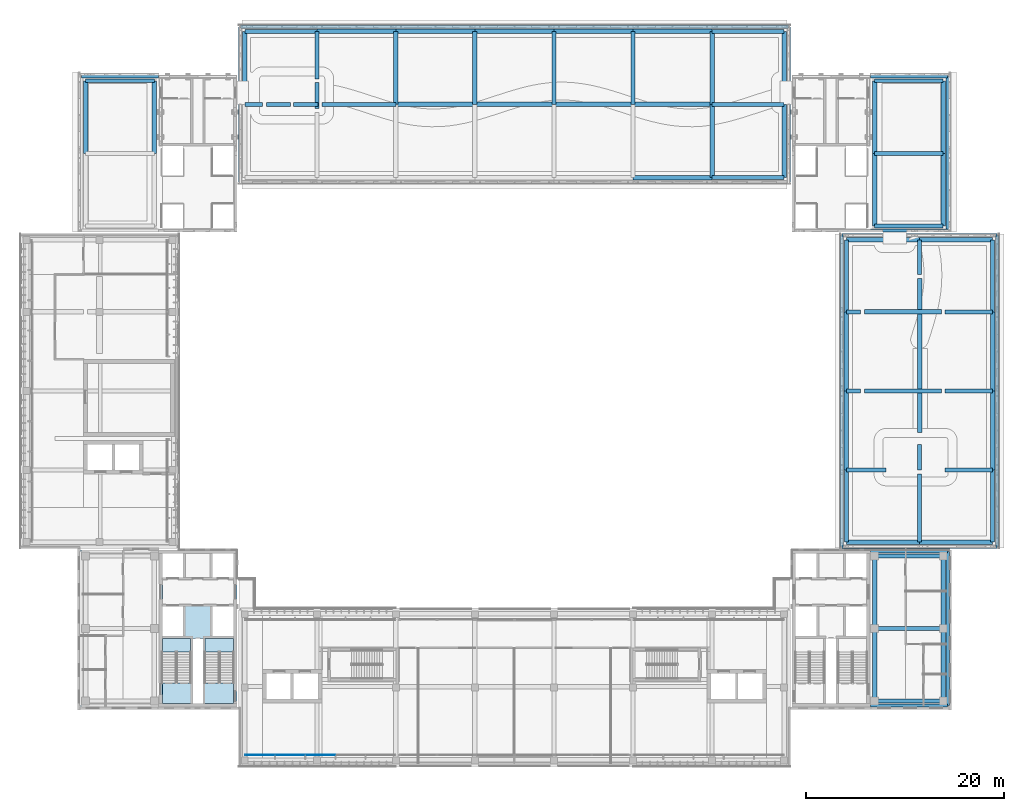
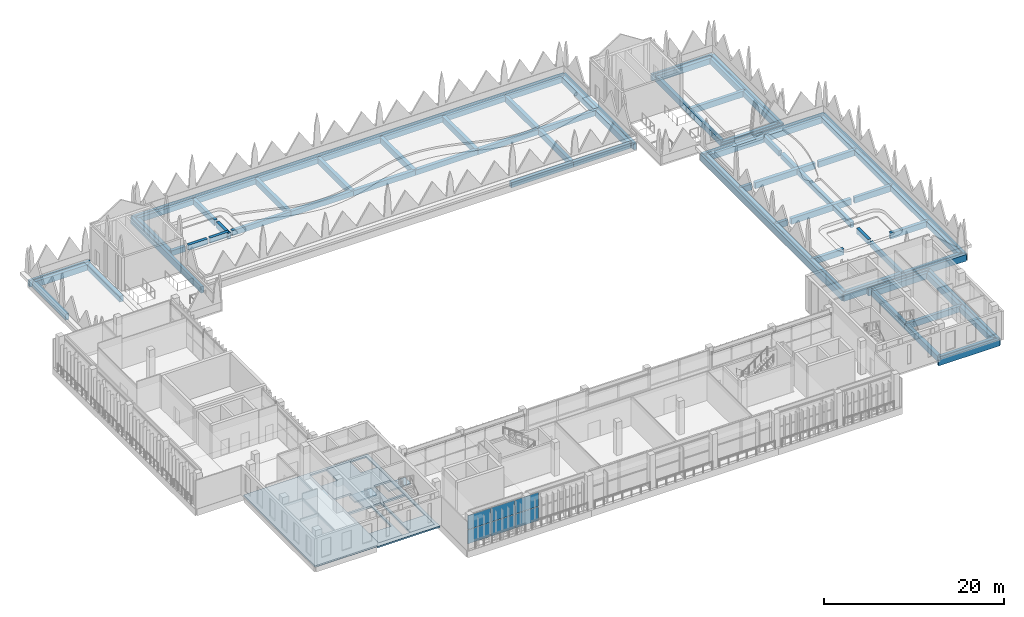
# One storey, part 19 of 46: 84 beams, 6 plates, 4 slabs, 3 elements without a shape of their own.
"""IFC4 building model written with IfcOpenShell, lengths in metres."""

from ifc_helpers import new_model, si_unit, direction, frame, origin, origin_2d, place, context, subcontext, project, spatial, polyline, rectangle, outline, extrude, material, layer, layer_set, material_profile, profile_set, type_object, element, aggregate, save


model = new_model("IFC4")

# Units and contexts
model_context = context("Model", 3, precision=1e-05, world=origin(), true_north=direction((0.0, 1.0)))
body_context = subcontext(model_context, "Body", "Model", "MODEL_VIEW")
ifc_project = project(units=[si_unit("LENGTHUNIT", "METRE"), si_unit("AREAUNIT", "SQUARE_METRE"), si_unit("VOLUMEUNIT", "CUBIC_METRE"), si_unit("PLANEANGLEUNIT", "RADIAN"), si_unit("MASSUNIT", "GRAM", prefix="KILO")], contexts=[model_context])

# Site, building, storey
site_placement = place(None, origin())
site = spatial("IfcSite", under=ifc_project, at=site_placement, CompositionType="ELEMENT")
building_placement = place(site_placement, origin())
building = spatial("IfcBuilding", under=site, at=building_placement, Name="Lantern Court Media Centre", CompositionType="ELEMENT")
storey_placement = place(building_placement, frame((0.0, 0.0, 28.800048828125)))
storey = spatial("IfcBuildingStorey", under=building, at=storey_placement, Name="L06", CompositionType="ELEMENT", Elevation=28.800048828125)

# Beams
ifc_material_1 = material(Name="Concrete C35", Category="concrete")
ifc_material_profile_1 = material_profile(ifc_material_1, rectangle(XDim=0.300048828125, YDim=0.89990234375, at=origin_2d()), Name="RC 300x900")
ifc_profile_set_1 = profile_set([ifc_material_profile_1], Name="Concrete C35")
beam_type_1 = type_object("IfcBeamType", Name="RC BEAM 300x900", PredefinedType="BEAM", material=ifc_profile_set_1)
for number, where, z_axis, x_axis, name in (
    (1, (88.02001953125, 48.14990234375, -0.449951171875), (1.0, 0.0, 0.0), (0.0, 1.0, 0.0), "EB-SE-L06-S"),
    (2, (88.02001953125, 63.75, -0.449951171875), (1.0, 0.0, 0.0), (0.0, 1.0, 0.0), "EB-SE-L06-N"),
    (3, (8.14990234375, 111.85009765625, -0.449951171875), (1.0, 0.0, 0.0), (0.0, 1.0, 0.0), "EB-NW-L06-N"),
    (4, (88.02001953125, 96.25, -0.449951171875), (1.0, 0.0, 0.0), (0.0, 1.0, 0.0), "EB-NE-L06-S"),
    (5, (88.02001953125, 111.85009765625, -0.449951171875), (1.0, 0.0, 0.0), (0.0, 1.0, 0.0), "EB-NE-L06-N"),
):
    element("IfcBeam", number, at=place(storey_placement, frame(where, z_axis=z_axis, x_axis=x_axis)), inside=storey, type_object=beam_type_1, Name=name, PredefinedType="BEAM", context=body_context, shape_type="SweptSolid", body=[
        extrude(rectangle(XDim=0.300048828125, YDim=0.89990234375, at=origin_2d()), origin(), (0.0, 0.0, 1.0), 7.830078125),
    ])
ifc_material_profile_2 = material_profile(ifc_material_1, rectangle(XDim=0.35009765625, YDim=0.89990234375, at=origin_2d()), Name="RC 350x900")
ifc_profile_set_2 = profile_set([ifc_material_profile_2], Name="Concrete C35")
beam_type_2 = type_object("IfcBeamType", Name="RC BEAM 350x900", PredefinedType="BEAM", material=ifc_profile_set_2)
for number, where, z_axis, x_axis, name in (
    (6, (95.85009765625, 48.14990234375, -0.449951171875), (0.0, 1.0, 0.0), (-1.0, 0.0, 0.0), "EB-SE-L06-E"),
    (7, (95.85009765625, 96.25, -0.449951171875), (0.0, 1.0, 0.0), (-1.0, 0.0, 0.0), "EB-NE-L06-E"),
):
    element("IfcBeam", number, at=place(storey_placement, frame(where, z_axis=z_axis, x_axis=x_axis)), inside=storey, type_object=beam_type_2, Name=name, PredefinedType="BEAM", context=body_context, shape_type="SweptSolid", body=[
        extrude(rectangle(XDim=0.35009765625, YDim=0.89990234375, at=origin_2d()), origin(), (0.0, 0.0, 1.0), 15.60009765625),
    ])
beam_1_placement = place(storey_placement, frame((24.25, 116.85009765625, -0.449951171875), z_axis=(1.0, 0.0, 0.0), x_axis=(0.0, 1.0, 0.0)))
element("IfcBeam", 8, at=beam_1_placement, inside=storey, type_object=beam_type_2, Name="EB-N-L06-B", PredefinedType="BEAM", context=body_context, shape_type="SweptSolid", body=[
    extrude(rectangle(XDim=0.35009765625, YDim=0.89990234375, at=origin_2d()), origin(), (0.0, 0.0, 1.0), 55.5),
])
for number, where, z_axis, x_axis, name in (
    (9, (24.25, 101.14990234375, -0.449951171875), (0.0, 1.0, 0.0), (-1.0, 0.0, 0.0), "EB-N-L06-C"),
    (10, (79.75, 101.14990234375, -0.449951171875), (0.0, 1.0, 0.0), (-1.0, 0.0, 0.0), "EB-N-L06-D"),
):
    element("IfcBeam", number, at=place(storey_placement, frame(where, z_axis=z_axis, x_axis=x_axis)), inside=storey, type_object=beam_type_2, Name=name, PredefinedType="BEAM", context=body_context, shape_type="SweptSolid", body=[
        extrude(rectangle(XDim=0.35009765625, YDim=0.89990234375, at=origin_2d()), origin(), (0.0, 0.0, 1.0), 15.7001953125),
    ])
for number, where, z_axis, x_axis, name in (
    (11, (85.14990234375, 64.25, -0.449951171875), (0.0, 1.0, 0.0), (-1.0, 0.0, 0.0), "EB-E-L06-A"),
    (12, (100.85009765625, 64.25, -0.449951171875), (0.0, 1.0, 0.0), (-1.0, 0.0, 0.0), "EB-E-L06-B"),
):
    element("IfcBeam", number, at=place(storey_placement, frame(where, z_axis=z_axis, x_axis=x_axis)), inside=storey, type_object=beam_type_2, Name=name, PredefinedType="BEAM", context=body_context, shape_type="SweptSolid", body=[
        extrude(rectangle(XDim=0.35009765625, YDim=0.89990234375, at=origin_2d()), origin(), (0.0, 0.0, 1.0), 31.5),
    ])
for number, where, z_axis, x_axis, name in (
    (13, (85.14990234375, 64.25, -0.449951171875), (1.0, 0.0, 0.0), (0.0, 1.0, 0.0), "EB-E-L06-C"),
    (14, (85.14990234375, 95.75, -0.449951171875), (1.0, 0.0, 0.0), (0.0, 1.0, 0.0), "EB-E-L06-D"),
):
    element("IfcBeam", number, at=place(storey_placement, frame(where, z_axis=z_axis, x_axis=x_axis)), inside=storey, type_object=beam_type_2, Name=name, PredefinedType="BEAM", context=body_context, shape_type="SweptSolid", body=[
        extrude(rectangle(XDim=0.35009765625, YDim=0.89990234375, at=origin_2d()), origin(), (0.0, 0.0, 1.0), 15.7001953125),
    ])
ifc_material_profile_3 = material_profile(ifc_material_1, rectangle(XDim=0.39990234375, YDim=0.699951171875, at=origin_2d()), Name="RC 400x700")
ifc_profile_set_3 = profile_set([ifc_material_profile_3], Name="Concrete C35")
beam_type_3 = type_object("IfcBeamType", Name="RC BEAM 400x700", PredefinedType="BEAM", material=ifc_profile_set_3)
beam_2_placement = place(storey_placement, frame((72.0, 101.60009765625, -0.35009765625), z_axis=(1.0, 0.0, 0.0), x_axis=(0.0, 1.0, 0.0)))
element("IfcBeam", 15, at=beam_2_placement, inside=storey, type_object=beam_type_3, Name="LB-N-L06-0-6", PredefinedType="BEAM", context=body_context, shape_type="SweptSolid", body=[
    extrude(rectangle(XDim=0.39990234375, YDim=0.699951171875, at=origin_2d()), origin(), (0.0, 0.0, 1.0), 7.300048828125),
])
beam_3_placement = place(storey_placement, frame((24.699951171875, 109.0, -0.35009765625), z_axis=(1.0, 0.0, 0.0), x_axis=(0.0, 1.0, 0.0)))
element("IfcBeam", 16, at=beam_3_placement, inside=storey, type_object=beam_type_3, Name="LB-N-L06-1-0", PredefinedType="BEAM", context=body_context, shape_type="SweptSolid", body=[
    extrude(rectangle(XDim=0.39990234375, YDim=0.699951171875, at=origin_2d()), origin(), (0.0, 0.0, 1.0), 1.800048828125),
])
for number, where, z_axis, x_axis, name in (
    (17, (26.89990234375, 109.0, -0.35009765625), (1.0, 0.0, 0.0), (0.0, 1.0, 0.0), "LB-N-L06-1-01"),
    (18, (29.64990234375, 109.0, -0.35009765625), (1.0, 0.0, 0.0), (0.0, 1.0, 0.0), "LB-N-L06-1-02"),
):
    element("IfcBeam", number, at=place(storey_placement, frame(where, z_axis=z_axis, x_axis=x_axis)), inside=storey, type_object=beam_type_3, Name=name, PredefinedType="BEAM", context=body_context, shape_type="SweptSolid", body=[
        extrude(rectangle(XDim=0.39990234375, YDim=0.699951171875, at=origin_2d()), origin(), (0.0, 0.0, 1.0), 2.4501953125),
    ])
beam_4_placement = place(storey_placement, frame((32.5, 109.0, -0.35009765625), z_axis=(1.0, 0.0, 0.0), x_axis=(0.0, 1.0, 0.0)))
element("IfcBeam", 19, at=beam_4_placement, inside=storey, type_object=beam_type_3, Name="LB-N-L06-1-03", PredefinedType="BEAM", context=body_context, shape_type="SweptSolid", body=[
    extrude(rectangle(XDim=0.39990234375, YDim=0.699951171875, at=origin_2d()), origin(), (0.0, 0.0, 1.0), 7.5),
])
for number, where, z_axis, x_axis, name in (
    (20, (72.0, 109.0, -0.35009765625), (1.0, 0.0, 0.0), (0.0, 1.0, 0.0), "LB-N-L06-1-6"),
    (21, (24.699951171875, 116.39990234375, -0.35009765625), (1.0, 0.0, 0.0), (0.0, 1.0, 0.0), "LB-N-L06-2-0"),
    (22, (72.0, 116.39990234375, -0.35009765625), (1.0, 0.0, 0.0), (0.0, 1.0, 0.0), "LB-N-L06-2-6"),
    (23, (85.60009765625, 64.699951171875, -0.35009765625), (0.0, 1.0, 0.0), (-1.0, 0.0, 0.0), "LB-E-L06-0-0"),
    (24, (85.60009765625, 88.0, -0.35009765625), (0.0, 1.0, 0.0), (-1.0, 0.0, 0.0), "LB-E-L06-0-3"),
):
    element("IfcBeam", number, at=place(storey_placement, frame(where, z_axis=z_axis, x_axis=x_axis)), inside=storey, type_object=beam_type_3, Name=name, PredefinedType="BEAM", context=body_context, shape_type="SweptSolid", body=[
        extrude(rectangle(XDim=0.39990234375, YDim=0.699951171875, at=origin_2d()), origin(), (0.0, 0.0, 1.0), 7.300048828125),
    ])
beam_5_placement = place(storey_placement, frame((93.0, 64.699951171875, -0.35009765625), z_axis=(0.0, 1.0, 0.0), x_axis=(-1.0, 0.0, 0.0)))
element("IfcBeam", 25, at=beam_5_placement, inside=storey, type_object=beam_type_3, Name="LB-E-L06-1-0", PredefinedType="BEAM", context=body_context, shape_type="SweptSolid", body=[
    extrude(rectangle(XDim=0.39990234375, YDim=0.699951171875, at=origin_2d()), origin(), (0.0, 0.0, 1.0), 6.900146484375),
])
beam_6_placement = place(storey_placement, frame((93.0, 72.0, -0.35009765625), z_axis=(0.0, 1.0, 0.0), x_axis=(-1.0, 0.0, 0.0)))
element("IfcBeam", 26, at=beam_6_placement, inside=storey, type_object=beam_type_3, Name="LB-E-L06-1-01", PredefinedType="BEAM", context=body_context, shape_type="SweptSolid", body=[
    extrude(rectangle(XDim=0.39990234375, YDim=0.699951171875, at=origin_2d()), origin(), (0.0, 0.0, 1.0), 2.60009765625),
])
beam_7_placement = place(storey_placement, frame((93.0, 91.800048828125, -0.35009765625), z_axis=(0.0, 1.0, 0.0), x_axis=(-1.0, 0.0, 0.0)))
element("IfcBeam", 27, at=beam_7_placement, inside=storey, type_object=beam_type_3, Name="LB-E-L06-1-03", PredefinedType="BEAM", context=body_context, shape_type="SweptSolid", body=[
    extrude(rectangle(XDim=0.39990234375, YDim=0.699951171875, at=origin_2d()), origin(), (0.0, 0.0, 1.0), 3.5),
])
for number, where, z_axis, x_axis, name in (
    (28, (100.39990234375, 64.699951171875, -0.35009765625), (0.0, 1.0, 0.0), (-1.0, 0.0, 0.0), "LB-E-L06-2-0"),
    (29, (100.39990234375, 88.0, -0.35009765625), (0.0, 1.0, 0.0), (-1.0, 0.0, 0.0), "LB-E-L06-2-3"),
):
    element("IfcBeam", number, at=place(storey_placement, frame(where, z_axis=z_axis, x_axis=x_axis)), inside=storey, type_object=beam_type_3, Name=name, PredefinedType="BEAM", context=body_context, shape_type="SweptSolid", body=[
        extrude(rectangle(XDim=0.39990234375, YDim=0.699951171875, at=origin_2d()), origin(), (0.0, 0.0, 1.0), 7.300048828125),
    ])
ifc_material_profile_4 = material_profile(ifc_material_1, rectangle(XDim=0.39990234375, YDim=0.800048828125, at=origin_2d()), Name="RC 400x800")
ifc_profile_set_4 = profile_set([ifc_material_profile_4], Name="Concrete C35")
beam_type_4 = type_object("IfcBeamType", Name="RC BEAM 400x800", PredefinedType="BEAM", material=ifc_profile_set_4)
for number, where, z_axis, x_axis, name in (
    (30, (88.449951171875, 48.60009765625, -0.400146484375), (1.0, 0.0, 0.0), (0.0, 1.0, 0.0), "BB-SE-L06-Y0-48"),
    (31, (88.449951171875, 55.949951171875, -0.400146484375), (1.0, 0.0, 0.0), (0.0, 1.0, 0.0), "BB-SE-L06-Y0-55"),
    (32, (88.449951171875, 63.300048828125, -0.400146484375), (1.0, 0.0, 0.0), (0.0, 1.0, 0.0), "BB-SE-L06-Y0-63"),
    (33, (8.60009765625, 111.39990234375, -0.400146484375), (1.0, 0.0, 0.0), (0.0, 1.0, 0.0), "BB-NW-L06-Y0-111"),
    (34, (88.449951171875, 96.699951171875, -0.400146484375), (1.0, 0.0, 0.0), (0.0, 1.0, 0.0), "BB-NE-L06-Y0-96"),
    (35, (88.449951171875, 104.050048828125, -0.400146484375), (1.0, 0.0, 0.0), (0.0, 1.0, 0.0), "BB-NE-L06-Y0-104"),
    (36, (88.449951171875, 111.39990234375, -0.400146484375), (1.0, 0.0, 0.0), (0.0, 1.0, 0.0), "BB-NE-L06-Y0-111"),
):
    element("IfcBeam", number, at=place(storey_placement, frame(where, z_axis=z_axis, x_axis=x_axis)), inside=storey, type_object=beam_type_4, Name=name, PredefinedType="BEAM", context=body_context, shape_type="SweptSolid", body=[
        extrude(rectangle(XDim=0.39990234375, YDim=0.800048828125, at=origin_2d()), origin(), (0.0, 0.0, 1.0), 6.949951171875),
    ])
beam_8_placement = place(storey_placement, frame((32.0, 108.60009765625, -0.400146484375), z_axis=(0.0, 1.0, 0.0), x_axis=(-1.0, 0.0, 0.0)))
element("IfcBeam", 37, at=beam_8_placement, inside=storey, type_object=beam_type_4, Name="TB-N-L06-1-11", PredefinedType="BEAM", context=body_context, shape_type="SweptSolid", body=[
    extrude(rectangle(XDim=0.39990234375, YDim=0.800048828125, at=origin_2d()), origin(), (0.0, 0.0, 1.0), 2.599853515625),
])
beam_9_placement = place(storey_placement, frame((32.0, 111.60009765625, -0.400146484375), z_axis=(0.0, 1.0, 0.0), x_axis=(-1.0, 0.0, 0.0)))
element("IfcBeam", 38, at=beam_9_placement, inside=storey, type_object=beam_type_4, Name="TB-N-L06-1-12", PredefinedType="BEAM", context=body_context, shape_type="SweptSolid", body=[
    extrude(rectangle(XDim=0.39990234375, YDim=0.800048828125, at=origin_2d()), origin(), (0.0, 0.0, 1.0), 4.7998046875),
])
beam_10_placement = place(storey_placement, frame((85.60009765625, 72.0, -0.400146484375), z_axis=(1.0, 0.0, 0.0), x_axis=(0.0, 1.0, 0.0)))
element("IfcBeam", 39, at=beam_10_placement, inside=storey, type_object=beam_type_4, Name="TB-E-L06-1-1", PredefinedType="BEAM", context=body_context, shape_type="SweptSolid", body=[
    extrude(rectangle(XDim=0.39990234375, YDim=0.800048828125, at=origin_2d()), origin(), (0.0, 0.0, 1.0), 4.0),
])
beam_11_placement = place(storey_placement, frame((95.60009765625, 72.0, -0.400146484375), z_axis=(1.0, 0.0, 0.0), x_axis=(0.0, 1.0, 0.0)))
element("IfcBeam", 40, at=beam_11_placement, inside=storey, type_object=beam_type_4, Name="TB-E-L06-1-11", PredefinedType="BEAM", context=body_context, shape_type="SweptSolid", body=[
    extrude(rectangle(XDim=0.39990234375, YDim=0.800048828125, at=origin_2d()), origin(), (0.0, 0.0, 1.0), 4.7998046875),
])
beam_12_placement = place(storey_placement, frame((85.60009765625, 80.0, -0.400146484375), z_axis=(1.0, 0.0, 0.0), x_axis=(0.0, 1.0, 0.0)))
element("IfcBeam", 41, at=beam_12_placement, inside=storey, type_object=beam_type_4, Name="TB-E-L06-2-1", PredefinedType="BEAM", context=body_context, shape_type="SweptSolid", body=[
    extrude(rectangle(XDim=0.39990234375, YDim=0.800048828125, at=origin_2d()), origin(), (0.0, 0.0, 1.0), 1.449951171875),
])
beam_13_placement = place(storey_placement, frame((95.60009765625, 80.0, -0.400146484375), z_axis=(1.0, 0.0, 0.0), x_axis=(0.0, 1.0, 0.0)))
element("IfcBeam", 42, at=beam_13_placement, inside=storey, type_object=beam_type_4, Name="TB-E-L06-2-12", PredefinedType="BEAM", context=body_context, shape_type="SweptSolid", body=[
    extrude(rectangle(XDim=0.39990234375, YDim=0.800048828125, at=origin_2d()), origin(), (0.0, 0.0, 1.0), 4.7998046875),
])
beam_14_placement = place(storey_placement, frame((85.60009765625, 88.0, -0.400146484375), z_axis=(1.0, 0.0, 0.0), x_axis=(0.0, 1.0, 0.0)))
element("IfcBeam", 43, at=beam_14_placement, inside=storey, type_object=beam_type_4, Name="TB-E-L06-3-1", PredefinedType="BEAM", context=body_context, shape_type="SweptSolid", body=[
    extrude(rectangle(XDim=0.39990234375, YDim=0.800048828125, at=origin_2d()), origin(), (0.0, 0.0, 1.0), 1.449951171875),
])
beam_15_placement = place(storey_placement, frame((95.60009765625, 88.0, -0.400146484375), z_axis=(1.0, 0.0, 0.0), x_axis=(0.0, 1.0, 0.0)))
element("IfcBeam", 44, at=beam_15_placement, inside=storey, type_object=beam_type_4, Name="TB-E-L06-3-12", PredefinedType="BEAM", context=body_context, shape_type="SweptSolid", body=[
    extrude(rectangle(XDim=0.39990234375, YDim=0.800048828125, at=origin_2d()), origin(), (0.0, 0.0, 1.0), 4.7998046875),
])
ifc_material_profile_5 = material_profile(ifc_material_1, rectangle(XDim=0.449951171875, YDim=0.699951171875, at=origin_2d()), Name="RC 450x700")
ifc_profile_set_5 = profile_set([ifc_material_profile_5], Name="Concrete C35")
beam_type_5 = type_object("IfcBeamType", Name="RC BEAM 450x700", PredefinedType="BEAM", material=ifc_profile_set_5)
for number, where, z_axis, x_axis, name in (
    (45, (64.0, 101.60009765625, -0.35009765625), (1.0, 0.0, 0.0), (0.0, 1.0, 0.0), "LB-N-L06-0-5"),
    (46, (40.0, 109.0, -0.35009765625), (1.0, 0.0, 0.0), (0.0, 1.0, 0.0), "LB-N-L06-1-2"),
    (47, (48.0, 109.0, -0.35009765625), (1.0, 0.0, 0.0), (0.0, 1.0, 0.0), "LB-N-L06-1-3"),
    (48, (56.0, 109.0, -0.35009765625), (1.0, 0.0, 0.0), (0.0, 1.0, 0.0), "LB-N-L06-1-4"),
    (49, (64.0, 109.0, -0.35009765625), (1.0, 0.0, 0.0), (0.0, 1.0, 0.0), "LB-N-L06-1-5"),
    (50, (32.0, 116.39990234375, -0.35009765625), (1.0, 0.0, 0.0), (0.0, 1.0, 0.0), "LB-N-L06-2-1"),
    (51, (40.0, 116.39990234375, -0.35009765625), (1.0, 0.0, 0.0), (0.0, 1.0, 0.0), "LB-N-L06-2-2"),
    (52, (48.0, 116.39990234375, -0.35009765625), (1.0, 0.0, 0.0), (0.0, 1.0, 0.0), "LB-N-L06-2-3"),
    (53, (56.0, 116.39990234375, -0.35009765625), (1.0, 0.0, 0.0), (0.0, 1.0, 0.0), "LB-N-L06-2-4"),
    (54, (64.0, 116.39990234375, -0.35009765625), (1.0, 0.0, 0.0), (0.0, 1.0, 0.0), "LB-N-L06-2-5"),
    (55, (85.60009765625, 72.0, -0.35009765625), (0.0, 1.0, 0.0), (-1.0, 0.0, 0.0), "LB-E-L06-0-1"),
    (56, (85.60009765625, 80.0, -0.35009765625), (0.0, 1.0, 0.0), (-1.0, 0.0, 0.0), "LB-E-L06-0-2"),
):
    element("IfcBeam", number, at=place(storey_placement, frame(where, z_axis=z_axis, x_axis=x_axis)), inside=storey, type_object=beam_type_5, Name=name, PredefinedType="BEAM", context=body_context, shape_type="SweptSolid", body=[
        extrude(rectangle(XDim=0.449951171875, YDim=0.699951171875, at=origin_2d()), origin(), (0.0, 0.0, 1.0), 8.0),
    ])
beam_16_placement = place(storey_placement, frame((93.0, 75.800048828125, -0.35009765625), z_axis=(0.0, 1.0, 0.0), x_axis=(-1.0, 0.0, 0.0)))
element("IfcBeam", 57, at=beam_16_placement, inside=storey, type_object=beam_type_5, Name="LB-E-L06-1-02", PredefinedType="BEAM", context=body_context, shape_type="SweptSolid", body=[
    extrude(rectangle(XDim=0.449951171875, YDim=0.699951171875, at=origin_2d()), origin(), (0.0, 0.0, 1.0), 15.599853515625),
])
for number, where, z_axis, x_axis, name in (
    (58, (100.39990234375, 72.0, -0.35009765625), (0.0, 1.0, 0.0), (-1.0, 0.0, 0.0), "LB-E-L06-2-1"),
    (59, (100.39990234375, 80.0, -0.35009765625), (0.0, 1.0, 0.0), (-1.0, 0.0, 0.0), "LB-E-L06-2-2"),
):
    element("IfcBeam", number, at=place(storey_placement, frame(where, z_axis=z_axis, x_axis=x_axis)), inside=storey, type_object=beam_type_5, Name=name, PredefinedType="BEAM", context=body_context, shape_type="SweptSolid", body=[
        extrude(rectangle(XDim=0.449951171875, YDim=0.699951171875, at=origin_2d()), origin(), (0.0, 0.0, 1.0), 8.0),
    ])
ifc_material_profile_6 = material_profile(ifc_material_1, rectangle(XDim=0.449951171875, YDim=0.800048828125, at=origin_2d()), Name="RC 450x800")
ifc_profile_set_6 = profile_set([ifc_material_profile_6], Name="Concrete C35")
beam_type_6 = type_object("IfcBeamType", Name="RC BEAM 450x800", PredefinedType="BEAM", material=ifc_profile_set_6)
beam_17_placement = place(storey_placement, frame((88.449951171875, 48.60009765625, -0.400146484375), z_axis=(0.0, 1.0, 0.0), x_axis=(-1.0, 0.0, 0.0)))
element("IfcBeam", 60, at=beam_17_placement, inside=storey, type_object=beam_type_6, Name="BB-SE-L06-X0-88", PredefinedType="BEAM", context=body_context, shape_type="SweptSolid", body=[
    extrude(rectangle(XDim=0.449951171875, YDim=0.800048828125, at=origin_2d()), origin(), (0.0, 0.0, 1.0), 7.349853515625),
])
beam_18_placement = place(storey_placement, frame((88.449951171875, 55.949951171875, -0.400146484375), z_axis=(0.0, 1.0, 0.0), x_axis=(-1.0, 0.0, 0.0)))
element("IfcBeam", 61, at=beam_18_placement, inside=storey, type_object=beam_type_6, Name="BB-SE-L06-X1-88", PredefinedType="BEAM", context=body_context, shape_type="SweptSolid", body=[
    extrude(rectangle(XDim=0.449951171875, YDim=0.800048828125, at=origin_2d()), origin(), (0.0, 0.0, 1.0), 7.35009765625),
])
beam_19_placement = place(storey_placement, frame((95.39990234375, 48.60009765625, -0.400146484375), z_axis=(0.0, 1.0, 0.0), x_axis=(-1.0, 0.0, 0.0)))
element("IfcBeam", 62, at=beam_19_placement, inside=storey, type_object=beam_type_6, Name="BB-SE-L06-X0-95", PredefinedType="BEAM", context=body_context, shape_type="SweptSolid", body=[
    extrude(rectangle(XDim=0.449951171875, YDim=0.800048828125, at=origin_2d()), origin(), (0.0, 0.0, 1.0), 7.349853515625),
])
beam_20_placement = place(storey_placement, frame((95.39990234375, 55.949951171875, -0.400146484375), z_axis=(0.0, 1.0, 0.0), x_axis=(-1.0, 0.0, 0.0)))
element("IfcBeam", 63, at=beam_20_placement, inside=storey, type_object=beam_type_6, Name="BB-SE-L06-X1-95", PredefinedType="BEAM", context=body_context, shape_type="SweptSolid", body=[
    extrude(rectangle(XDim=0.449951171875, YDim=0.800048828125, at=origin_2d()), origin(), (0.0, 0.0, 1.0), 7.35009765625),
])
for number, where, z_axis, x_axis, name in (
    (64, (8.60009765625, 104.050048828125, -0.400146484375), (0.0, 1.0, 0.0), (-1.0, 0.0, 0.0), "BB-NW-L06-X1-8"),
    (65, (15.550048828125, 104.050048828125, -0.400146484375), (0.0, 1.0, 0.0), (-1.0, 0.0, 0.0), "BB-NW-L06-X1-15"),
):
    element("IfcBeam", number, at=place(storey_placement, frame(where, z_axis=z_axis, x_axis=x_axis)), inside=storey, type_object=beam_type_6, Name=name, PredefinedType="BEAM", context=body_context, shape_type="SweptSolid", body=[
        extrude(rectangle(XDim=0.449951171875, YDim=0.800048828125, at=origin_2d()), origin(), (0.0, 0.0, 1.0), 7.349853515625),
    ])
beam_21_placement = place(storey_placement, frame((88.449951171875, 96.699951171875, -0.400146484375), z_axis=(0.0, 1.0, 0.0), x_axis=(-1.0, 0.0, 0.0)))
element("IfcBeam", 66, at=beam_21_placement, inside=storey, type_object=beam_type_6, Name="BB-NE-L06-X0-88", PredefinedType="BEAM", context=body_context, shape_type="SweptSolid", body=[
    extrude(rectangle(XDim=0.449951171875, YDim=0.800048828125, at=origin_2d()), origin(), (0.0, 0.0, 1.0), 7.35009765625),
])
beam_22_placement = place(storey_placement, frame((88.449951171875, 104.050048828125, -0.400146484375), z_axis=(0.0, 1.0, 0.0), x_axis=(-1.0, 0.0, 0.0)))
element("IfcBeam", 67, at=beam_22_placement, inside=storey, type_object=beam_type_6, Name="BB-NE-L06-X1-88", PredefinedType="BEAM", context=body_context, shape_type="SweptSolid", body=[
    extrude(rectangle(XDim=0.449951171875, YDim=0.800048828125, at=origin_2d()), origin(), (0.0, 0.0, 1.0), 7.349853515625),
])
beam_23_placement = place(storey_placement, frame((95.39990234375, 96.699951171875, -0.400146484375), z_axis=(0.0, 1.0, 0.0), x_axis=(-1.0, 0.0, 0.0)))
element("IfcBeam", 68, at=beam_23_placement, inside=storey, type_object=beam_type_6, Name="BB-NE-L06-X0-95", PredefinedType="BEAM", context=body_context, shape_type="SweptSolid", body=[
    extrude(rectangle(XDim=0.449951171875, YDim=0.800048828125, at=origin_2d()), origin(), (0.0, 0.0, 1.0), 7.35009765625),
])
beam_24_placement = place(storey_placement, frame((95.39990234375, 104.050048828125, -0.400146484375), z_axis=(0.0, 1.0, 0.0), x_axis=(-1.0, 0.0, 0.0)))
element("IfcBeam", 69, at=beam_24_placement, inside=storey, type_object=beam_type_6, Name="BB-NE-L06-X1-95", PredefinedType="BEAM", context=body_context, shape_type="SweptSolid", body=[
    extrude(rectangle(XDim=0.449951171875, YDim=0.800048828125, at=origin_2d()), origin(), (0.0, 0.0, 1.0), 7.349853515625),
])
for number, where, z_axis, x_axis, name in (
    (70, (24.699951171875, 109.0, -0.400146484375), (0.0, 1.0, 0.0), (-1.0, 0.0, 0.0), "TB-N-L06-0-2"),
    (71, (40.0, 109.0, -0.400146484375), (0.0, 1.0, 0.0), (-1.0, 0.0, 0.0), "TB-N-L06-2-2"),
    (72, (48.0, 109.0, -0.400146484375), (0.0, 1.0, 0.0), (-1.0, 0.0, 0.0), "TB-N-L06-3-2"),
    (73, (56.0, 109.0, -0.400146484375), (0.0, 1.0, 0.0), (-1.0, 0.0, 0.0), "TB-N-L06-4-2"),
    (74, (64.0, 109.0, -0.400146484375), (0.0, 1.0, 0.0), (-1.0, 0.0, 0.0), "TB-N-L06-5-2"),
    (75, (72.0, 101.60009765625, -0.400146484375), (0.0, 1.0, 0.0), (-1.0, 0.0, 0.0), "TB-N-L06-6-1"),
    (76, (72.0, 109.0, -0.400146484375), (0.0, 1.0, 0.0), (-1.0, 0.0, 0.0), "TB-N-L06-6-2"),
    (77, (79.300048828125, 101.60009765625, -0.400146484375), (0.0, 1.0, 0.0), (-1.0, 0.0, 0.0), "TB-N-L06-7-1"),
    (78, (79.300048828125, 109.0, -0.400146484375), (0.0, 1.0, 0.0), (-1.0, 0.0, 0.0), "TB-N-L06-7-2"),
    (79, (85.60009765625, 64.699951171875, -0.400146484375), (1.0, 0.0, 0.0), (0.0, 1.0, 0.0), "TB-E-L06-0-1"),
    (80, (93.0, 64.699951171875, -0.400146484375), (1.0, 0.0, 0.0), (0.0, 1.0, 0.0), "TB-E-L06-0-2"),
):
    element("IfcBeam", number, at=place(storey_placement, frame(where, z_axis=z_axis, x_axis=x_axis)), inside=storey, type_object=beam_type_6, Name=name, PredefinedType="BEAM", context=body_context, shape_type="SweptSolid", body=[
        extrude(rectangle(XDim=0.449951171875, YDim=0.800048828125, at=origin_2d()), origin(), (0.0, 0.0, 1.0), 7.39990234375),
    ])
for number, where, z_axis, x_axis, name in (
    (81, (87.449951171875, 80.0, -0.400146484375), (1.0, 0.0, 0.0), (0.0, 1.0, 0.0), "TB-E-L06-2-11"),
    (82, (87.449951171875, 88.0, -0.400146484375), (1.0, 0.0, 0.0), (0.0, 1.0, 0.0), "TB-E-L06-3-11"),
):
    element("IfcBeam", number, at=place(storey_placement, frame(where, z_axis=z_axis, x_axis=x_axis)), inside=storey, type_object=beam_type_6, Name=name, PredefinedType="BEAM", context=body_context, shape_type="SweptSolid", body=[
        extrude(rectangle(XDim=0.449951171875, YDim=0.800048828125, at=origin_2d()), origin(), (0.0, 0.0, 1.0), 7.75),
    ])
for number, where, z_axis, x_axis, name in (
    (83, (85.60009765625, 95.300048828125, -0.400146484375), (1.0, 0.0, 0.0), (0.0, 1.0, 0.0), "TB-E-L06-4-1"),
    (84, (93.0, 95.300048828125, -0.400146484375), (1.0, 0.0, 0.0), (0.0, 1.0, 0.0), "TB-E-L06-4-2"),
):
    element("IfcBeam", number, at=place(storey_placement, frame(where, z_axis=z_axis, x_axis=x_axis)), inside=storey, type_object=beam_type_6, Name=name, PredefinedType="BEAM", context=body_context, shape_type="SweptSolid", body=[
        extrude(rectangle(XDim=0.449951171875, YDim=0.800048828125, at=origin_2d()), origin(), (0.0, 0.0, 1.0), 7.39990234375),
    ])

# Slab
ifc_material_2 = material(Name="Concrete C40", Category="concrete")
ifc_layer_1 = layer(ifc_material_2, 0.25)
ifc_layer_set_1 = layer_set([ifc_layer_1], Name="Concrete C40")
slab_type_1 = type_object("IfcSlabType", Name="Core floor slab 250", PredefinedType="FLOOR", material=ifc_layer_set_1)
slab_1_placement = place(storey_placement, frame((0.0, 0.0, -0.25)))
element("IfcSlab", 85, at=slab_1_placement, inside=storey, type_object=slab_type_1, Name="L06 SW core floor", PredefinedType="FLOOR", context=body_context, shape_type="SweptSolid", body=[
    extrude(outline(polyline([(16.35009765625, 58.199951171875), (16.35009765625, 61.10009765625), (18.449951171875, 61.10009765625), (18.449951171875, 63.550048828125), (21.449951171875, 63.550048828125), (21.449951171875, 61.10009765625), (23.550048828125, 61.10009765625), (23.550048828125, 58.199951171875), (21.449951171875, 58.199951171875), (21.449951171875, 55.199951171875), (23.550048828125, 55.199951171875), (23.550048828125, 54.94970703125), (20.700439453125, 54.94970703125), (20.700439453125, 50.450439453125), (23.550048828125, 50.450439453125), (23.550048828125, 48.35009765625), (20.449951171875, 48.35009765625), (20.449951171875, 54.949951171875), (19.449951171875, 54.949951171875), (19.449951171875, 48.35009765625), (16.35009765625, 48.35009765625), (16.35009765625, 50.450439453125), (19.19970703125, 50.450439453125), (19.19970703125, 54.94970703125), (16.35009765625, 54.94970703125), (16.35009765625, 55.199951171875), (18.449951171875, 55.199951171875), (18.449951171875, 58.199951171875), (16.35009765625, 58.199951171875)])), origin(), (0.0, 0.0, 1.0), 0.25),
])

# Curtain wall, plates
ifc_material_3 = material(Name="Curtain wall bay 3000")
curtain_wall_type = type_object("IfcCurtainWallType", Name="Curtain wall bay 3000", PredefinedType="NOTDEFINED", material=ifc_material_3)
curtain_wall_placement = place(storey_placement, origin())
curtain_wall = element("IfcCurtainWall", 86, at=curtain_wall_placement, inside=storey, type_object=curtain_wall_type, Name="Curtain wall S outer L06", PredefinedType="NOTDEFINED")
ifc_material_4 = material(Name="Low-iron double glazed unit glass", Category="glass")
ifc_layer_2 = layer(ifc_material_4, 0.028076171875)
ifc_layer_set_2 = layer_set([ifc_layer_2], Name="Low-iron double glazed unit glass")
plate_type = type_object("IfcPlateType", Name="Curtain wall glazing unit 28", PredefinedType="CURTAIN_PANEL", material=ifc_layer_set_2)
plate_1_placement = place(storey_placement, frame((26.2451171875, 43.14990234375, 0.06005859375), z_axis=(0.0, 0.0, 1.0), x_axis=(1.0, 0.0, 0.0)))
plate_1 = element("IfcPlate", 87, at=plate_1_placement, type_object=plate_type, Name="CW1 panel 1.1", PredefinedType="CURTAIN_PANEL", context=body_context, shape_type="SweptSolid", body=[
    extrude(rectangle(XDim=2.969970703125, YDim=0.028076171875, at=origin_2d()), origin(), (0.0, 0.0, 1.0), 1.885009765625),
])
plate_2_placement = place(storey_placement, frame((26.2451171875, 43.14990234375, 2.0048828125), z_axis=(0.0, 0.0, 1.0), x_axis=(1.0, 0.0, 0.0)))
plate_2 = element("IfcPlate", 88, at=plate_2_placement, type_object=plate_type, Name="CW1 panel 1.2", PredefinedType="CURTAIN_PANEL", context=body_context, shape_type="SweptSolid", body=[
    extrude(rectangle(XDim=2.969970703125, YDim=0.028076171875, at=origin_2d()), origin(), (0.0, 0.0, 1.0), 1.885009765625),
])
plate_3_placement = place(storey_placement, frame((29.2900390625, 43.14990234375, 0.06005859375), z_axis=(0.0, 0.0, 1.0), x_axis=(1.0, 0.0, 0.0)))
plate_3 = element("IfcPlate", 89, at=plate_3_placement, type_object=plate_type, Name="CW1 panel 2.1", PredefinedType="CURTAIN_PANEL", context=body_context, shape_type="SweptSolid", body=[
    extrude(rectangle(XDim=3.0, YDim=0.028076171875, at=origin_2d()), origin(), (0.0, 0.0, 1.0), 1.885009765625),
])
plate_4_placement = place(storey_placement, frame((29.2900390625, 43.14990234375, 2.0048828125), z_axis=(0.0, 0.0, 1.0), x_axis=(1.0, 0.0, 0.0)))
plate_4 = element("IfcPlate", 90, at=plate_4_placement, type_object=plate_type, Name="CW1 panel 2.2", PredefinedType="CURTAIN_PANEL", context=body_context, shape_type="SweptSolid", body=[
    extrude(rectangle(XDim=3.0, YDim=0.028076171875, at=origin_2d()), origin(), (0.0, 0.0, 1.0), 1.885009765625),
])
plate_5_placement = place(storey_placement, frame((32.35009765625, 43.14990234375, 0.06005859375), z_axis=(0.0, 0.0, 1.0), x_axis=(1.0, 0.0, 0.0)))
plate_5 = element("IfcPlate", 91, at=plate_5_placement, type_object=plate_type, Name="CW1 panel 3.1", PredefinedType="CURTAIN_PANEL", context=body_context, shape_type="SweptSolid", body=[
    extrude(rectangle(XDim=3.0, YDim=0.028076171875, at=origin_2d()), origin(), (0.0, 0.0, 1.0), 1.885009765625),
])
plate_6_placement = place(storey_placement, frame((32.35009765625, 43.14990234375, 2.0048828125), z_axis=(0.0, 0.0, 1.0), x_axis=(1.0, 0.0, 0.0)))
plate_6 = element("IfcPlate", 92, at=plate_6_placement, type_object=plate_type, Name="CW1 panel 3.2", PredefinedType="CURTAIN_PANEL", context=body_context, shape_type="SweptSolid", body=[
    extrude(rectangle(XDim=3.0, YDim=0.028076171875, at=origin_2d()), origin(), (0.0, 0.0, 1.0), 1.885009765625),
])
aggregate(curtain_wall, [plate_1, plate_2, plate_3, plate_4, plate_5, plate_6])

# Slab
ifc_layer_3 = layer(ifc_material_1, 0.199951171875)
ifc_layer_set_3 = layer_set([ifc_layer_3], Name="Concrete C35")
slab_type_2 = type_object("IfcSlabType", Name="RC FLOOR SLAB 200", PredefinedType="FLOOR", material=ifc_layer_set_3)
slab_2_placement = place(storey_placement, frame((0.0, 0.0, -0.199951171875)))
element("IfcSlab", 93, at=slab_2_placement, inside=storey, type_object=slab_type_2, Name="SL-SW-L06", PredefinedType="FLOOR", context=body_context, shape_type="SweptSolid", body=[
    extrude(outline(polyline([(8.0, 63.89990234375), (23.89990234375, 63.89990234375), (23.89990234375, 48.0), (23.89990234375, 47.780029296875), (15.89990234375, 47.780029296875), (15.89990234375, 48.0), (8.0, 48.0), (8.0, 63.89990234375)]), holes=[polyline([(16.35009765625, 63.550048828125), (16.35009765625, 48.35009765625), (23.550048828125, 48.35009765625), (23.550048828125, 63.550048828125), (16.35009765625, 63.550048828125)])]), origin(), (0.0, 0.0, 1.0), 0.199951171875),
])

# Stair, slab
stair_type = type_object("IfcStairType", Name="Exit stair 1350", PredefinedType="HALF_TURN_STAIR", material=ifc_material_2)
stair_1_placement = place(storey_placement, origin())
stair_1 = element("IfcStair", 94, at=stair_1_placement, inside=storey, type_object=stair_type, Name="L06 SW exit stair A", PredefinedType="HALF_TURN_STAIR")
ifc_layer_4 = layer(ifc_material_2, 0.199951171875)
ifc_layer_set_4 = layer_set([ifc_layer_4], Name="Concrete C40")
slab_type_3 = type_object("IfcSlabType", Name="Stair landing RC 200", PredefinedType="LANDING", material=ifc_layer_set_4)
slab_3_placement = place(storey_placement, frame((0.0, 0.0, 2.199951171875)))
slab_3 = element("IfcSlab", 95, at=slab_3_placement, type_object=slab_type_3, Name="ST-SWA landing 1", PredefinedType="LANDING", context=body_context, shape_type="SweptSolid", body=[
    extrude(outline(polyline([(19.199951171875, 53.570068359375), (19.199951171875, 54.949951171875), (16.35009765625, 54.949951171875), (16.35009765625, 53.570068359375), (19.199951171875, 53.570068359375)])), origin(), (0.0, 0.0, 1.0), 0.199951171875),
])
aggregate(stair_1, [slab_3])

stair_2_placement = place(storey_placement, origin())
stair_2 = element("IfcStair", 96, at=stair_2_placement, inside=storey, type_object=stair_type, Name="L06 SW exit stair B", PredefinedType="HALF_TURN_STAIR")
slab_4_placement = place(storey_placement, frame((0.0, 0.0, 2.199951171875)))
slab_4 = element("IfcSlab", 97, at=slab_4_placement, type_object=slab_type_3, Name="ST-SWB landing 1", PredefinedType="LANDING", context=body_context, shape_type="SweptSolid", body=[
    extrude(outline(polyline([(23.550048828125, 53.570068359375), (23.550048828125, 54.949951171875), (20.699951171875, 54.949951171875), (20.699951171875, 53.570068359375), (23.550048828125, 53.570068359375)])), origin(), (0.0, 0.0, 1.0), 0.199951171875),
])
aggregate(stair_2, [slab_4])

save(model, "model.ifc")
